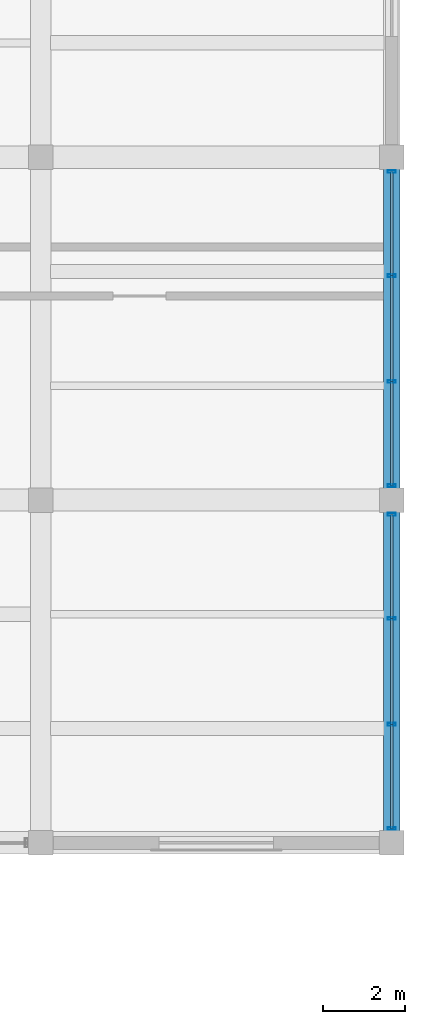
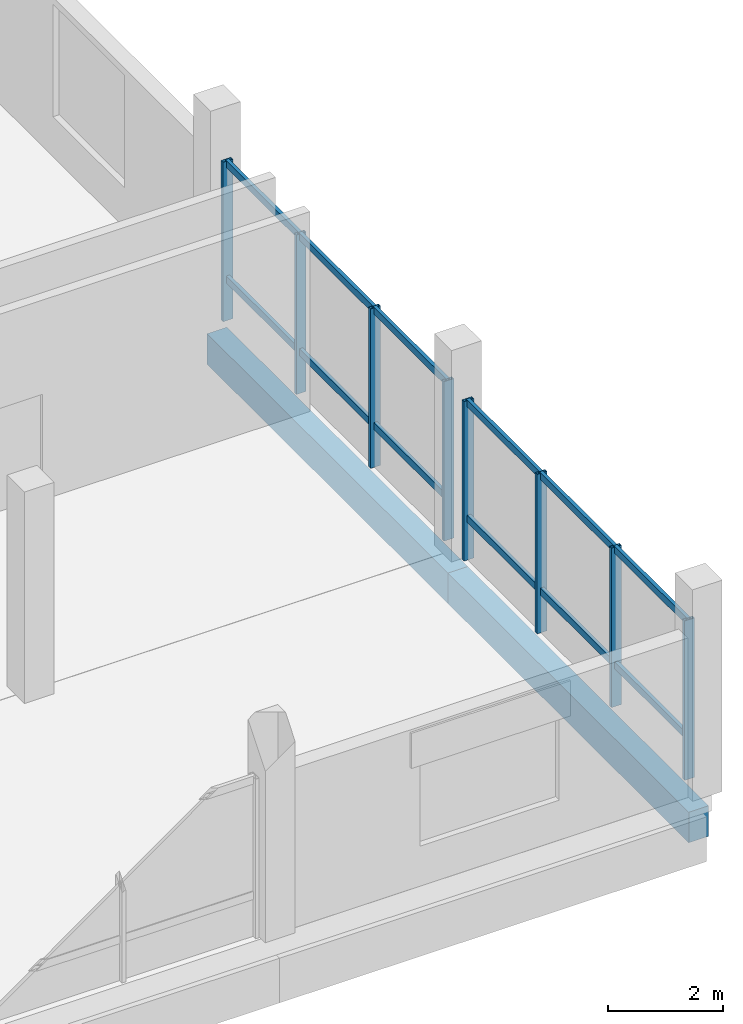
# One storey, part 52 of 77: 20 members, 2 beams, 2 elements without a shape of their own.
"""IFC4 building model written with IfcOpenShell, lengths in metres."""

from ifc_helpers import new_model, si_unit, direction, frame, origin, origin_2d, place, context, subcontext, project, spatial, rectangle, hollow_rectangle, extrude, material, layer, layer_set, material_profile, profile_set, type_object, element, aggregate, save


model = new_model("IFC4")

# Units and contexts
model_context = context("Model", 3, precision=1e-05, world=origin(), true_north=direction((0.0, 1.0)))
body_context = subcontext(model_context, "Body", "Model", "MODEL_VIEW")
ifc_project = project(units=[si_unit("LENGTHUNIT", "METRE"), si_unit("AREAUNIT", "SQUARE_METRE"), si_unit("VOLUMEUNIT", "CUBIC_METRE"), si_unit("PLANEANGLEUNIT", "RADIAN"), si_unit("MASSUNIT", "GRAM", prefix="KILO")], contexts=[model_context])

# Site, building, storey
site_placement = place(None, origin())
site = spatial("IfcSite", under=ifc_project, at=site_placement, CompositionType="ELEMENT")
building_placement = place(site_placement, origin())
building = spatial("IfcBuilding", under=site, at=building_placement, Name="Meriwether Solvik Hall", CompositionType="ELEMENT")
storey_placement = place(building_placement, frame((0.0, 0.0, 9.89990234375)))
storey = spatial("IfcBuildingStorey", under=building, at=storey_placement, Name="L02", CompositionType="ELEMENT", Elevation=9.89990234375)

# Beams
ifc_material_1 = material(Name="Concrete C40/50", Category="concrete")
ifc_material_profile_1 = material_profile(ifc_material_1, rectangle(XDim=0.39990234375, YDim=0.64990234375, at=origin_2d()), Name="RCB-400X650")
ifc_profile_set_1 = profile_set([ifc_material_profile_1], Name="Concrete C40/50")
beam_type = type_object("IfcBeamType", Name="BM-RC-400X650", PredefinedType="SPANDREL", material=ifc_profile_set_1)
beam_1_placement = place(storey_placement, frame((166.800048828125, 50.0, -0.77490234375), z_axis=(0.0, 1.0, 0.0), x_axis=(-1.0, 0.0, 0.0)))
element("IfcBeam", 1, at=beam_1_placement, inside=storey, type_object=beam_type, Name="Podium Girder 19:F-G (L02)", PredefinedType="SPANDREL", context=body_context, shape_type="SweptSolid", body=[
    extrude(rectangle(XDim=0.39990234375, YDim=0.64990234375, at=origin_2d()), origin(), (0.0, 0.0, 1.0), 8.39990234375),
])
beam_2_placement = place(storey_placement, frame((166.800048828125, 58.39990234375, -0.77490234375), z_axis=(0.0, 1.0, 0.0), x_axis=(-1.0, 0.0, 0.0)))
element("IfcBeam", 2, at=beam_2_placement, inside=storey, type_object=beam_type, Name="Podium Girder 19:G-H (L02)", PredefinedType="SPANDREL", context=body_context, shape_type="SweptSolid", body=[
    extrude(rectangle(XDim=0.39990234375, YDim=0.64990234375, at=origin_2d()), origin(), (0.0, 0.0, 1.0), 8.400146484375),
])

# Curtain wall, members
ifc_material_2 = material(Name="Thermally Broken Anodised Aluminium 6063-T6 and Low-E Glass", Category="aluminium")
ifc_layer = layer(ifc_material_2, 0.179931640625)
ifc_layer_set = layer_set([ifc_layer], Name="Thermally Broken Anodised Aluminium 6063-T6 and Low-E Glass")
curtain_wall_type = type_object("IfcCurtainWallType", Name="CW-SF-POD-C", PredefinedType="USERDEFINED", material=ifc_layer_set)
curtain_wall_1_placement = place(storey_placement, origin())
curtain_wall_1 = element("IfcCurtainWall", 3, at=curtain_wall_1_placement, inside=storey, type_object=curtain_wall_type, Name="Curtain Wall wing_Y19_6_42 (L02)", ObjectType="STICK STOREFRONT GLAZING", PredefinedType="USERDEFINED")
ifc_material_3 = material(Name="Anodised Aluminium 6063-T6", Category="aluminium")
ifc_material_profile_2 = material_profile(ifc_material_3, hollow_rectangle(XDim=0.070068359375, YDim=0.199951171875, WallThickness=0.0048828125, at=origin_2d()), Name="CWM-70X200")
ifc_profile_set_2 = profile_set([ifc_material_profile_2], Name="Anodised Aluminium 6063-T6")
member_type_1 = type_object("IfcMemberType", Name="CW-MUL-70X200", PredefinedType="MULLION", material=ifc_profile_set_2)
member_1_placement = place(storey_placement, frame((166.800048828125, 58.050048828125, 0.0), z_axis=(0.0, 0.0, 1.0), x_axis=(0.0, -1.0, 0.0)))
member_1 = element("IfcMember", 4, at=member_1_placement, type_object=member_type_1, Name="Curtain Wall Mullion 1", PredefinedType="MULLION", context=body_context, shape_type="SweptSolid", body=[
    extrude(hollow_rectangle(XDim=0.070068359375, YDim=0.199951171875, WallThickness=0.0048828125, at=origin_2d()), origin(), (0.0, 0.0, 1.0), 3.39501953125),
])
member_2_placement = place(storey_placement, frame((166.800048828125, 55.49609375, 0.0), z_axis=(0.0, 0.0, 1.0), x_axis=(0.0, -1.0, 0.0)))
member_2 = element("IfcMember", 5, at=member_2_placement, type_object=member_type_1, Name="Curtain Wall Mullion 2", PredefinedType="MULLION", context=body_context, shape_type="SweptSolid", body=[
    extrude(hollow_rectangle(XDim=0.070068359375, YDim=0.199951171875, WallThickness=0.0048828125, at=origin_2d()), origin(), (0.0, 0.0, 1.0), 3.39501953125),
])
member_3_placement = place(storey_placement, frame((166.800048828125, 52.904052734375, 0.0), z_axis=(0.0, 0.0, 1.0), x_axis=(0.0, -1.0, 0.0)))
member_3 = element("IfcMember", 6, at=member_3_placement, type_object=member_type_1, Name="Curtain Wall Mullion 3", PredefinedType="MULLION", context=body_context, shape_type="SweptSolid", body=[
    extrude(hollow_rectangle(XDim=0.070068359375, YDim=0.199951171875, WallThickness=0.0048828125, at=origin_2d()), origin(), (0.0, 0.0, 1.0), 3.39501953125),
])
member_4_placement = place(storey_placement, frame((166.800048828125, 50.35009765625, 0.0), z_axis=(0.0, 0.0, 1.0), x_axis=(0.0, -1.0, 0.0)))
member_4 = element("IfcMember", 7, at=member_4_placement, type_object=member_type_1, Name="Curtain Wall Mullion 4", PredefinedType="MULLION", context=body_context, shape_type="SweptSolid", body=[
    extrude(hollow_rectangle(XDim=0.070068359375, YDim=0.199951171875, WallThickness=0.0048828125, at=origin_2d()), origin(), (0.0, 0.0, 1.0), 3.39501953125),
])

curtain_wall_2_placement = place(storey_placement, origin())
curtain_wall_2 = element("IfcCurtainWall", 8, at=curtain_wall_2_placement, inside=storey, type_object=curtain_wall_type, Name="Curtain Wall wing_Y19_7_43 (L02)", ObjectType="STICK STOREFRONT GLAZING", PredefinedType="USERDEFINED")
member_5_placement = place(storey_placement, frame((166.800048828125, 66.449951171875, 0.0), z_axis=(0.0, 0.0, 1.0), x_axis=(0.0, -1.0, 0.0)))
member_5 = element("IfcMember", 9, at=member_5_placement, type_object=member_type_1, Name="Curtain Wall Mullion 1", PredefinedType="MULLION", context=body_context, shape_type="SweptSolid", body=[
    extrude(hollow_rectangle(XDim=0.070068359375, YDim=0.199951171875, WallThickness=0.0048828125, at=origin_2d()), origin(), (0.0, 0.0, 1.0), 3.39501953125),
])
member_6_placement = place(storey_placement, frame((166.800048828125, 63.89599609375, 0.0), z_axis=(0.0, 0.0, 1.0), x_axis=(0.0, -1.0, 0.0)))
member_6 = element("IfcMember", 10, at=member_6_placement, type_object=member_type_1, Name="Curtain Wall Mullion 2", PredefinedType="MULLION", context=body_context, shape_type="SweptSolid", body=[
    extrude(hollow_rectangle(XDim=0.070068359375, YDim=0.199951171875, WallThickness=0.0048828125, at=origin_2d()), origin(), (0.0, 0.0, 1.0), 3.39501953125),
])
member_7_placement = place(storey_placement, frame((166.800048828125, 61.303955078125, 0.0), z_axis=(0.0, 0.0, 1.0), x_axis=(0.0, -1.0, 0.0)))
member_7 = element("IfcMember", 11, at=member_7_placement, type_object=member_type_1, Name="Curtain Wall Mullion 3", PredefinedType="MULLION", context=body_context, shape_type="SweptSolid", body=[
    extrude(hollow_rectangle(XDim=0.070068359375, YDim=0.199951171875, WallThickness=0.0048828125, at=origin_2d()), origin(), (0.0, 0.0, 1.0), 3.39501953125),
])
member_8_placement = place(storey_placement, frame((166.800048828125, 58.75, 0.0), z_axis=(0.0, 0.0, 1.0), x_axis=(0.0, -1.0, 0.0)))
member_8 = element("IfcMember", 12, at=member_8_placement, type_object=member_type_1, Name="Curtain Wall Mullion 4", PredefinedType="MULLION", context=body_context, shape_type="SweptSolid", body=[
    extrude(hollow_rectangle(XDim=0.070068359375, YDim=0.199951171875, WallThickness=0.0048828125, at=origin_2d()), origin(), (0.0, 0.0, 1.0), 3.39501953125),
])

# Member
ifc_material_4 = material(Name="Anodised Aluminium 6063-T6", Category="aluminium")
ifc_material_profile_3 = material_profile(ifc_material_4, hollow_rectangle(XDim=0.070068359375, YDim=0.14990234375, WallThickness=0.0048828125, at=origin_2d()), Name="CWT-70X150")
ifc_profile_set_3 = profile_set([ifc_material_profile_3], Name="Anodised Aluminium 6063-T6")
member_type_2 = type_object("IfcMemberType", Name="CW-TRN-70X150", PredefinedType="USERDEFINED", material=ifc_profile_set_3)
member_9_placement = place(storey_placement, frame((166.800048828125, 58.050048828125, 0.880126953125), z_axis=(0.0, -1.0, 0.0), x_axis=(1.0, 0.0, 0.0)))
member_9 = element("IfcMember", 13, at=member_9_placement, type_object=member_type_2, Name="Curtain Wall Transom 1-sill", ObjectType="TRANSOM", PredefinedType="USERDEFINED", context=body_context, shape_type="SweptSolid", body=[
    extrude(hollow_rectangle(XDim=0.070068359375, YDim=0.14990234375, WallThickness=0.0048828125, at=origin_2d()), origin(), (0.0, 0.0, 1.0), 2.553955078125),
])

member_10_placement = place(storey_placement, frame((166.800048828125, 58.050048828125, 3.335205078125), z_axis=(0.0, -1.0, 0.0), x_axis=(1.0, 0.0, 0.0)))
member_10 = element("IfcMember", 14, at=member_10_placement, type_object=member_type_2, Name="Curtain Wall Transom 1-head", ObjectType="TRANSOM", PredefinedType="USERDEFINED", context=body_context, shape_type="SweptSolid", body=[
    extrude(hollow_rectangle(XDim=0.070068359375, YDim=0.14990234375, WallThickness=0.0048828125, at=origin_2d()), origin(), (0.0, 0.0, 1.0), 2.553955078125),
])

member_11_placement = place(storey_placement, frame((166.800048828125, 55.49609375, 0.880126953125), z_axis=(0.0, -1.0, 0.0), x_axis=(1.0, 0.0, 0.0)))
member_11 = element("IfcMember", 15, at=member_11_placement, type_object=member_type_2, Name="Curtain Wall Transom 2-sill", ObjectType="TRANSOM", PredefinedType="USERDEFINED", context=body_context, shape_type="SweptSolid", body=[
    extrude(hollow_rectangle(XDim=0.070068359375, YDim=0.14990234375, WallThickness=0.0048828125, at=origin_2d()), origin(), (0.0, 0.0, 1.0), 2.592041015625),
])

member_12_placement = place(storey_placement, frame((166.800048828125, 55.49609375, 3.335205078125), z_axis=(0.0, -1.0, 0.0), x_axis=(1.0, 0.0, 0.0)))
member_12 = element("IfcMember", 16, at=member_12_placement, type_object=member_type_2, Name="Curtain Wall Transom 2-head", ObjectType="TRANSOM", PredefinedType="USERDEFINED", context=body_context, shape_type="SweptSolid", body=[
    extrude(hollow_rectangle(XDim=0.070068359375, YDim=0.14990234375, WallThickness=0.0048828125, at=origin_2d()), origin(), (0.0, 0.0, 1.0), 2.592041015625),
])

member_13_placement = place(storey_placement, frame((166.800048828125, 52.904052734375, 0.880126953125), z_axis=(0.0, -1.0, 0.0), x_axis=(1.0, 0.0, 0.0)))
member_13 = element("IfcMember", 17, at=member_13_placement, type_object=member_type_2, Name="Curtain Wall Transom 3-sill", ObjectType="TRANSOM", PredefinedType="USERDEFINED", context=body_context, shape_type="SweptSolid", body=[
    extrude(hollow_rectangle(XDim=0.070068359375, YDim=0.14990234375, WallThickness=0.0048828125, at=origin_2d()), origin(), (0.0, 0.0, 1.0), 2.553955078125),
])

member_14_placement = place(storey_placement, frame((166.800048828125, 52.904052734375, 3.335205078125), z_axis=(0.0, -1.0, 0.0), x_axis=(1.0, 0.0, 0.0)))
member_14 = element("IfcMember", 18, at=member_14_placement, type_object=member_type_2, Name="Curtain Wall Transom 3-head", ObjectType="TRANSOM", PredefinedType="USERDEFINED", context=body_context, shape_type="SweptSolid", body=[
    extrude(hollow_rectangle(XDim=0.070068359375, YDim=0.14990234375, WallThickness=0.0048828125, at=origin_2d()), origin(), (0.0, 0.0, 1.0), 2.553955078125),
])

aggregate(curtain_wall_1, [member_1, member_2, member_3, member_4, member_9, member_10, member_11, member_12, member_13, member_14])

member_15_placement = place(storey_placement, frame((166.800048828125, 66.449951171875, 0.880126953125), z_axis=(0.0, -1.0, 0.0), x_axis=(1.0, 0.0, 0.0)))
member_15 = element("IfcMember", 19, at=member_15_placement, type_object=member_type_2, Name="Curtain Wall Transom 1-sill", ObjectType="TRANSOM", PredefinedType="USERDEFINED", context=body_context, shape_type="SweptSolid", body=[
    extrude(hollow_rectangle(XDim=0.070068359375, YDim=0.14990234375, WallThickness=0.0048828125, at=origin_2d()), origin(), (0.0, 0.0, 1.0), 2.553955078125),
])

member_16_placement = place(storey_placement, frame((166.800048828125, 66.449951171875, 3.335205078125), z_axis=(0.0, -1.0, 0.0), x_axis=(1.0, 0.0, 0.0)))
member_16 = element("IfcMember", 20, at=member_16_placement, type_object=member_type_2, Name="Curtain Wall Transom 1-head", ObjectType="TRANSOM", PredefinedType="USERDEFINED", context=body_context, shape_type="SweptSolid", body=[
    extrude(hollow_rectangle(XDim=0.070068359375, YDim=0.14990234375, WallThickness=0.0048828125, at=origin_2d()), origin(), (0.0, 0.0, 1.0), 2.553955078125),
])

member_17_placement = place(storey_placement, frame((166.800048828125, 63.89599609375, 0.880126953125), z_axis=(0.0, -1.0, 0.0), x_axis=(1.0, 0.0, 0.0)))
member_17 = element("IfcMember", 21, at=member_17_placement, type_object=member_type_2, Name="Curtain Wall Transom 2-sill", ObjectType="TRANSOM", PredefinedType="USERDEFINED", context=body_context, shape_type="SweptSolid", body=[
    extrude(hollow_rectangle(XDim=0.070068359375, YDim=0.14990234375, WallThickness=0.0048828125, at=origin_2d()), origin(), (0.0, 0.0, 1.0), 2.592041015625),
])

member_18_placement = place(storey_placement, frame((166.800048828125, 63.89599609375, 3.335205078125), z_axis=(0.0, -1.0, 0.0), x_axis=(1.0, 0.0, 0.0)))
member_18 = element("IfcMember", 22, at=member_18_placement, type_object=member_type_2, Name="Curtain Wall Transom 2-head", ObjectType="TRANSOM", PredefinedType="USERDEFINED", context=body_context, shape_type="SweptSolid", body=[
    extrude(hollow_rectangle(XDim=0.070068359375, YDim=0.14990234375, WallThickness=0.0048828125, at=origin_2d()), origin(), (0.0, 0.0, 1.0), 2.592041015625),
])

member_19_placement = place(storey_placement, frame((166.800048828125, 61.303955078125, 0.880126953125), z_axis=(0.0, -1.0, 0.0), x_axis=(1.0, 0.0, 0.0)))
member_19 = element("IfcMember", 23, at=member_19_placement, type_object=member_type_2, Name="Curtain Wall Transom 3-sill", ObjectType="TRANSOM", PredefinedType="USERDEFINED", context=body_context, shape_type="SweptSolid", body=[
    extrude(hollow_rectangle(XDim=0.070068359375, YDim=0.14990234375, WallThickness=0.0048828125, at=origin_2d()), origin(), (0.0, 0.0, 1.0), 2.553955078125),
])

member_20_placement = place(storey_placement, frame((166.800048828125, 61.303955078125, 3.335205078125), z_axis=(0.0, -1.0, 0.0), x_axis=(1.0, 0.0, 0.0)))
member_20 = element("IfcMember", 24, at=member_20_placement, type_object=member_type_2, Name="Curtain Wall Transom 3-head", ObjectType="TRANSOM", PredefinedType="USERDEFINED", context=body_context, shape_type="SweptSolid", body=[
    extrude(hollow_rectangle(XDim=0.070068359375, YDim=0.14990234375, WallThickness=0.0048828125, at=origin_2d()), origin(), (0.0, 0.0, 1.0), 2.553955078125),
])

aggregate(curtain_wall_2, [member_5, member_6, member_7, member_8, member_15, member_16, member_17, member_18, member_19, member_20])

save(model, "model.ifc")
